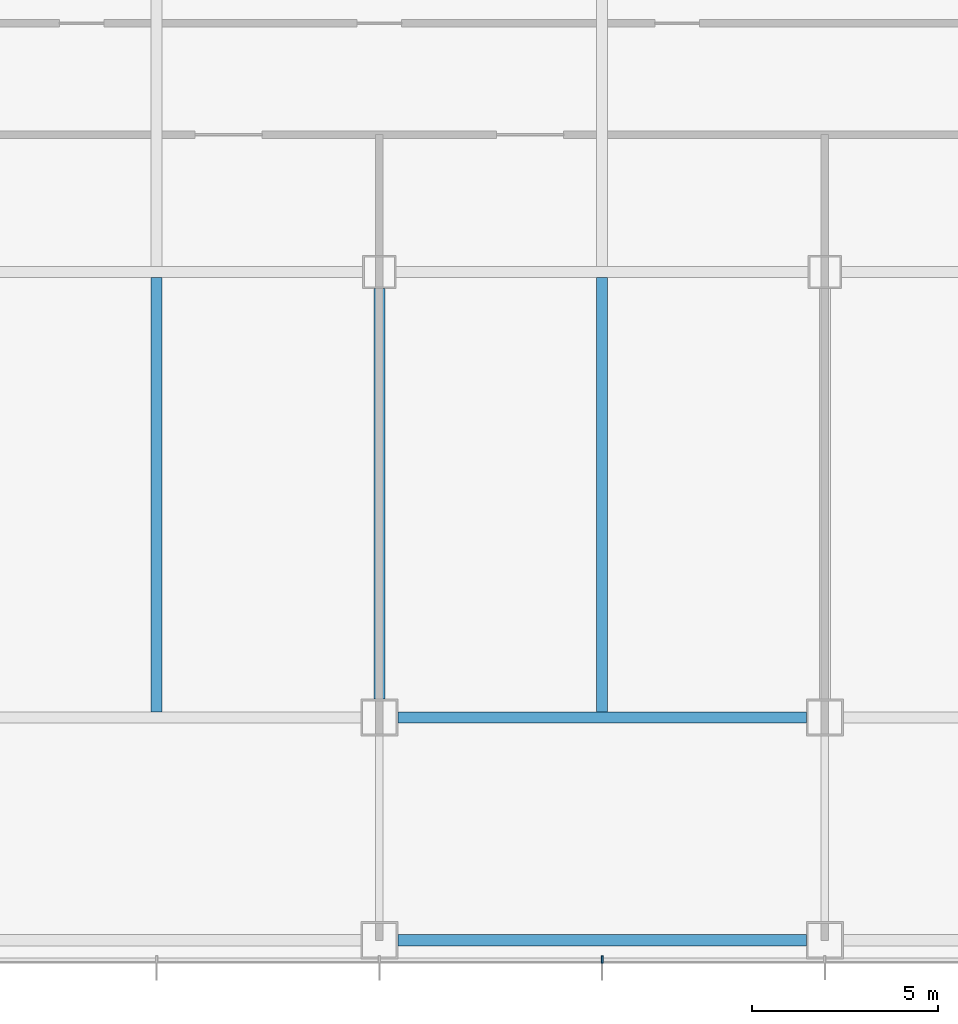
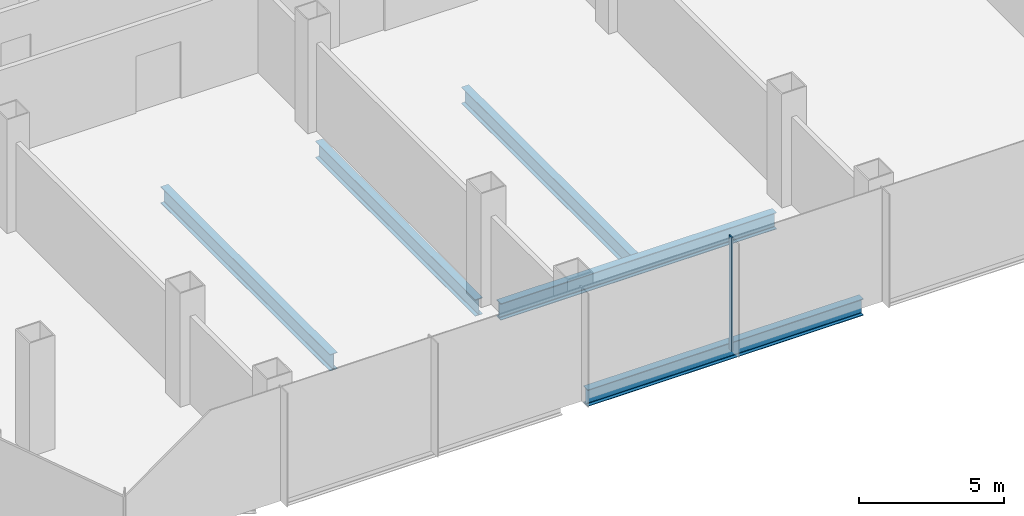
# One storey, part 3 of 33: 5 beams, 1 member, 1 element without a shape of its own.
"""IFC4 building model written with IfcOpenShell, lengths in metres."""

from ifc_helpers import new_model, si_unit, direction, frame, origin, origin_2d, place, context, subcontext, project, spatial, rectangle, i_section, extrude, material, material_profile, profile_set, type_object, element, aggregate, save


model = new_model("IFC4")

# Units and contexts
model_context = context("Model", 3, precision=1e-05, world=origin(), true_north=direction((0.0, 1.0)))
body_context = subcontext(model_context, "Body", "Model", "MODEL_VIEW")
ifc_project = project(units=[si_unit("LENGTHUNIT", "METRE"), si_unit("AREAUNIT", "SQUARE_METRE"), si_unit("VOLUMEUNIT", "CUBIC_METRE"), si_unit("PLANEANGLEUNIT", "RADIAN"), si_unit("MASSUNIT", "GRAM", prefix="KILO")], contexts=[model_context])

# Site, building, storey
site_placement = place(None, origin())
site = spatial("IfcSite", under=ifc_project, at=site_placement, CompositionType="ELEMENT")
building_placement = place(site_placement, origin())
building = spatial("IfcBuilding", under=site, at=building_placement, Name="Sorahane Residences", CompositionType="ELEMENT")
storey_placement = place(building_placement, frame((0.0, 0.0, 34.800048828125)))
storey = spatial("IfcBuildingStorey", under=building, at=storey_placement, Name="L05", CompositionType="ELEMENT", Elevation=34.800048828125)

# Curtain wall, member
ifc_material_1 = material(Name="Dark low-e glass and black anodised aluminium", Category="aluminium")
curtain_wall_type = type_object("IfcCurtainWallType", Name="Curtain wall CW-3 Podium unitised wall", PredefinedType="NOTDEFINED", material=ifc_material_1)
curtain_wall_placement = place(storey_placement, origin())
curtain_wall = element("IfcCurtainWall", 1, at=curtain_wall_placement, inside=storey, type_object=curtain_wall_type, Name="CW-3 curtain wall L05 S1", PredefinedType="NOTDEFINED")
ifc_material_2 = material(Name="Black anodised aluminium", Category="aluminium")
ifc_material_profile_1 = material_profile(ifc_material_2, rectangle(XDim=0.199951171875, YDim=0.050048828125, at=origin_2d()), Name="Curtain wall mullion CW-3 black anodised aluminium 50x200")
ifc_profile_set_1 = profile_set([ifc_material_profile_1], Name="Black anodised aluminium")
member_type = type_object("IfcMemberType", Name="Curtain wall mullion CW-3 black anodised aluminium 50x200", PredefinedType="MULLION", material=ifc_profile_set_1)
member_placement = place(storey_placement, frame((30.0, -6.52001953125, -0.400146484375), z_axis=(0.0, 0.0, 1.0), x_axis=(0.0, -1.0, 0.0)))
member = element("IfcMember", 2, at=member_placement, type_object=member_type, Name="CW-3 mullion L05 S1.5", PredefinedType="MULLION", context=body_context, shape_type="SweptSolid", body=[
    extrude(rectangle(XDim=0.199951171875, YDim=0.050048828125, at=origin_2d()), origin(), (0.0, 0.0, 1.0), 4.800048828125),
])
aggregate(curtain_wall, [member])

# Beams
ifc_material_3 = material(Name="Steel Q355B", Category="steel")
ifc_material_profile_2 = material_profile(ifc_material_3, i_section(OverallWidth=0.300048828125, OverallDepth=0.699951171875, WebThickness=0.012939453125, FlangeThickness=0.02392578125, FilletRadius=0.028076171875, at=origin_2d()), Name="HN 700x300x13x24")
ifc_profile_set_2 = profile_set([ifc_material_profile_2], Name="Steel Q355B")
beam_type = type_object("IfcBeamType", Name="Steel floor beam HN 700x300x13x24 Q355B", PredefinedType="BEAM", material=ifc_profile_set_2)
beam_1_placement = place(storey_placement, frame((24.5, 0.0, -0.75), z_axis=(1.0, 0.0, 0.0), x_axis=(0.0, 1.0, 0.0)))
element("IfcBeam", 3, at=beam_1_placement, inside=storey, type_object=beam_type, Name="Beam L05 003", PredefinedType="BEAM", context=body_context, shape_type="SweptSolid", body=[
    extrude(i_section(OverallWidth=0.300048828125, OverallDepth=0.699951171875, WebThickness=0.012939453125, FlangeThickness=0.02392578125, FilletRadius=0.028076171875, at=origin_2d()), origin(), (0.0, 0.0, 1.0), 11.0),
])
beam_2_placement = place(storey_placement, frame((18.0, 0.14990234375, -0.75), z_axis=(0.0, 1.0, 0.0), x_axis=(-1.0, 0.0, 0.0)))
element("IfcBeam", 4, at=beam_2_placement, inside=storey, type_object=beam_type, Name="Beam L05 038", PredefinedType="BEAM", context=body_context, shape_type="SweptSolid", body=[
    extrude(i_section(OverallWidth=0.300048828125, OverallDepth=0.699951171875, WebThickness=0.012939453125, FlangeThickness=0.02392578125, FilletRadius=0.028076171875, at=origin_2d()), origin(), (0.0, 0.0, 1.0), 11.7001953125),
])
beam_3_placement = place(storey_placement, frame((24.0, 0.5, -0.75), z_axis=(0.0, 1.0, 0.0), x_axis=(-1.0, 0.0, 0.0)))
element("IfcBeam", 5, at=beam_3_placement, inside=storey, type_object=beam_type, Name="Beam L05 045", PredefinedType="BEAM", context=body_context, shape_type="SweptSolid", body=[
    extrude(i_section(OverallWidth=0.300048828125, OverallDepth=0.699951171875, WebThickness=0.012939453125, FlangeThickness=0.02392578125, FilletRadius=0.028076171875, at=origin_2d()), origin(), (0.0, 0.0, 1.0), 11.050048828125),
])
beam_4_placement = place(storey_placement, frame((30.0, 0.14990234375, -0.75), z_axis=(0.0, 1.0, 0.0), x_axis=(-1.0, 0.0, 0.0)))
element("IfcBeam", 6, at=beam_4_placement, inside=storey, type_object=beam_type, Name="Beam L05 047", PredefinedType="BEAM", context=body_context, shape_type="SweptSolid", body=[
    extrude(i_section(OverallWidth=0.300048828125, OverallDepth=0.699951171875, WebThickness=0.012939453125, FlangeThickness=0.02392578125, FilletRadius=0.028076171875, at=origin_2d()), origin(), (0.0, 0.0, 1.0), 11.7001953125),
])
beam_5_placement = place(storey_placement, frame((24.5, -6.0, -0.75), z_axis=(1.0, 0.0, 0.0), x_axis=(0.0, 1.0, 0.0)))
element("IfcBeam", 7, at=beam_5_placement, inside=storey, type_object=beam_type, Name="Beam L05 080", PredefinedType="BEAM", context=body_context, shape_type="SweptSolid", body=[
    extrude(i_section(OverallWidth=0.300048828125, OverallDepth=0.699951171875, WebThickness=0.012939453125, FlangeThickness=0.02392578125, FilletRadius=0.028076171875, at=origin_2d()), origin(), (0.0, 0.0, 1.0), 11.0),
])

save(model, "model.ifc")
